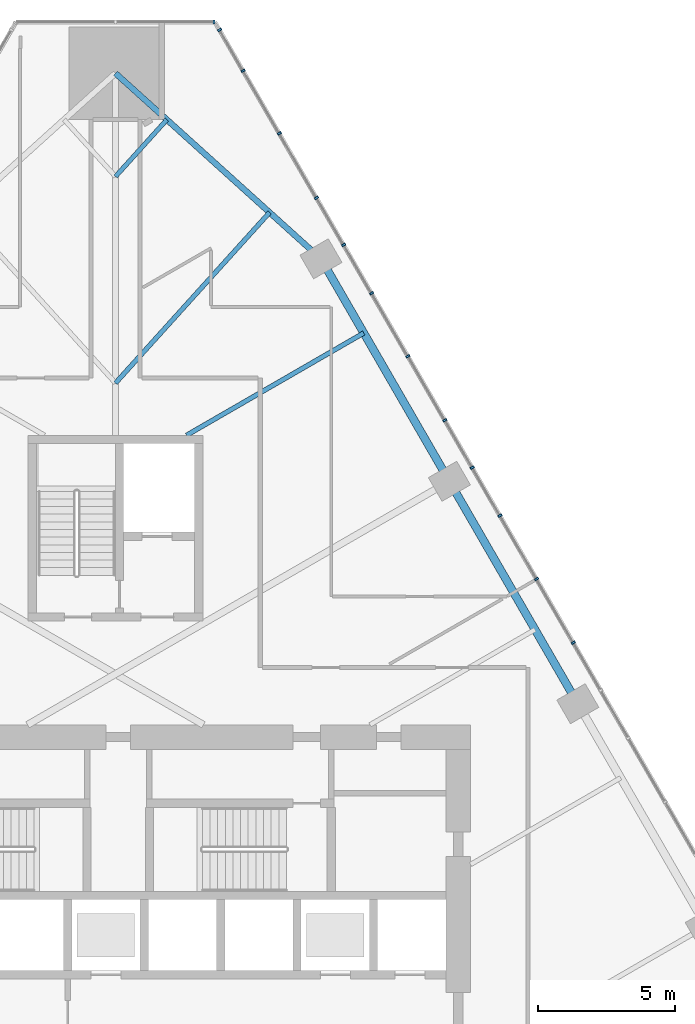
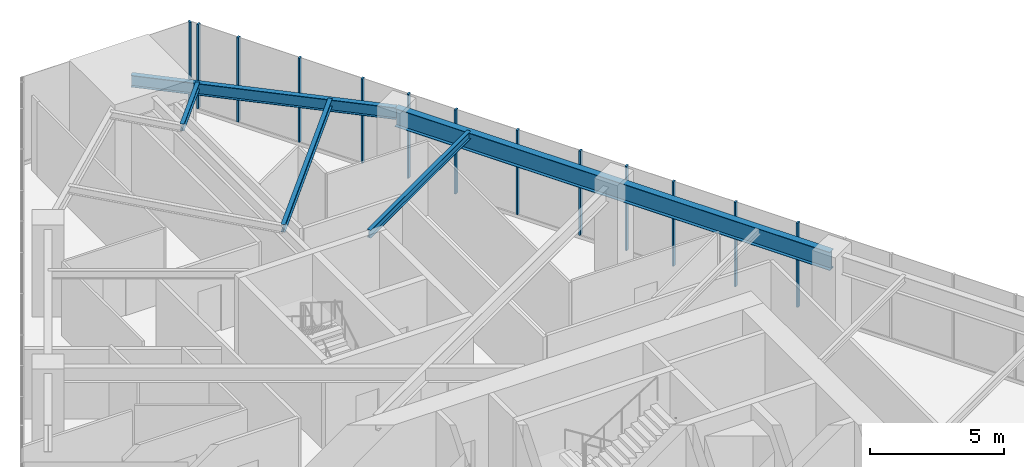
# One storey, part 10 of 21: 13 members, 5 beams, 2 elements without a shape of their own.
"""IFC4 building model written with IfcOpenShell, lengths in metres."""

import ifcopenshell
import ifcopenshell.guid

model = None  # the IFC model being written
_history = None  # IfcOwnerHistory: only IFC2X3 demands one
_inside = {}  # id of a spatial element -> (the spatial element, [elements in it])
_under = {}  # id of a project, library or spatial element -> (it, [spatial elements below it])
_declared = {}  # id of a project -> (the project, [libraries it declares])
_typed = {}  # id of a type object -> (the type object, [elements of that type])
_made_of = {}  # id of a material, layer set ... -> (it, [elements and type objects made of it])


def new_model(schema):
    """Start an empty IFC model of exactly this schema.

    Asked for "IFC4X3", IfcOpenShell would pick the latest addendum, in which some entities
    have other attributes; the version numbers below select the first issue.
    IFC2X3 requires an IfcOwnerHistory on every rooted entity: one is made here for all.
    """
    global model, _history
    if schema == "IFC4X3":
        model = ifcopenshell.file(schema_version=(4, 3, 0, 0))
    else:
        model = ifcopenshell.file(schema=schema)
    _inside.clear()
    _under.clear()
    _declared.clear()
    _typed.clear()
    _made_of.clear()
    _history = None
    if model.schema == "IFC2X3":
        org = make("IfcOrganization", Name="unknown")
        user = make(
            "IfcPersonAndOrganization",
            ThePerson=make("IfcPerson", FamilyName="unknown"),
            TheOrganization=org,
        )
        app = make(
            "IfcApplication",
            ApplicationDeveloper=org,
            Version="unknown",
            ApplicationFullName="unknown",
            ApplicationIdentifier="unknown",
        )
        _history = make(
            "IfcOwnerHistory",
            OwningUser=user,
            OwningApplication=app,
            ChangeAction="ADDED",
            CreationDate=0,
        )
    return model


def make(cls, **values):
    """One entity of the class cls with the attributes given. An attribute that is None is left unset."""
    return model.create_entity(
        cls, **{name: value for name, value in values.items() if value is not None}
    )


def rooted(cls, **values):
    """An entity with a GlobalId (a new one), such as an element, a storey or a relation."""
    return make(cls, GlobalId=ifcopenshell.guid.new(), OwnerHistory=_history, **values)


def si_unit(unit_type, name, prefix=None):
    """IfcSIUnit, for example si_unit("LENGTHUNIT", "METRE", prefix="MILLI")."""
    return make("IfcSIUnit", UnitType=unit_type, Prefix=prefix, Name=name)


def assignment(units):
    """IfcUnitAssignment: the units of a project."""
    return None if units is None else make("IfcUnitAssignment", Units=units)


def point(xyz):
    """IfcCartesianPoint."""
    return None if xyz is None else make("IfcCartesianPoint", Coordinates=xyz)


def direction(xyz):
    """IfcDirection."""
    return None if xyz is None else make("IfcDirection", DirectionRatios=xyz)


def frame(location, z_axis=None, x_axis=None):
    """IfcAxis2Placement3D, a coordinate frame: its origin and axes. An axis left out is left unset."""
    return make(
        "IfcAxis2Placement3D",
        Location=point(location),
        Axis=direction(z_axis),
        RefDirection=direction(x_axis),
    )


def frame_2d(location, x_axis=None):
    """IfcAxis2Placement2D, a coordinate frame in the plane: its origin and x axis."""
    return make(
        "IfcAxis2Placement2D", Location=point(location), RefDirection=direction(x_axis)
    )


def origin():
    """The frame at (0, 0, 0) with its axes left unset."""
    return frame((0.0, 0.0, 0.0))


def origin_2d():
    """The frame at (0, 0) in the plane with its x axis left unset."""
    return frame_2d((0.0, 0.0))


def place(relative_to, where):
    """IfcLocalPlacement: puts the frame where relative to a parent placement (None: the world)."""
    return make(
        "IfcLocalPlacement", PlacementRelTo=relative_to, RelativePlacement=where
    )


def context(
    kind, dimensions, precision=None, world=None, true_north=None, identifier=None
):
    """IfcGeometricRepresentationContext, for example the 3D "Model" context."""
    return make(
        "IfcGeometricRepresentationContext",
        ContextIdentifier=identifier,
        ContextType=kind,
        CoordinateSpaceDimension=dimensions,
        Precision=precision,
        WorldCoordinateSystem=world,
        TrueNorth=true_north,
    )


def subcontext(parent, identifier, kind, view, scale=None):
    """IfcGeometricRepresentationSubContext, for example "Body" below "Model"."""
    return make(
        "IfcGeometricRepresentationSubContext",
        ContextIdentifier=identifier,
        ContextType=kind,
        ParentContext=parent,
        TargetScale=scale,
        TargetView=view,
    )


def project(units=None, contexts=None):
    """IfcProject with its units and contexts."""
    return rooted(
        "IfcProject",
        Name="project",
        RepresentationContexts=contexts,
        UnitsInContext=assignment(units),
    )


def spatial(cls, under=None, at=None, **own):
    """A site, building, storey or space (cls), placed at a placement, below another one or the project."""
    s = rooted(cls, ObjectPlacement=at, **own)
    if under is not None:
        _under.setdefault(under.id(), (under, []))[1].append(s)
    return s


def profile(cls, at=None, kind="AREA", **sizes):
    """A parametric profile (cls). Its sizes go by their IFC names, for example OverallWidth=200.0."""
    return make(cls, ProfileType=kind, Position=at, **sizes)


def rectangle(**sizes):
    """IfcRectangleProfileDef."""
    return profile("IfcRectangleProfileDef", **sizes)


def i_section(**sizes):
    """IfcIShapeProfileDef."""
    return profile("IfcIShapeProfileDef", **sizes)


def extrude(swept, where, along, depth):
    """IfcExtrudedAreaSolid: the profile swept, set in the frame where, extruded along a direction by depth."""
    return make(
        "IfcExtrudedAreaSolid",
        SweptArea=swept,
        Position=where,
        ExtrudedDirection=direction(along),
        Depth=depth,
    )


def shape(context_of_items, identifier, shape_type, items):
    """IfcShapeRepresentation: the items that make up one representation, for example the "Body"."""
    return make(
        "IfcShapeRepresentation",
        ContextOfItems=context_of_items,
        RepresentationIdentifier=identifier,
        RepresentationType=shape_type,
        Items=items,
    )


def material(Name=None, Category=None):
    """IfcMaterial."""
    return make("IfcMaterial", Name=Name, Category=Category)


def layer(
    of_material, thickness, ventilated=None, Name=None, Category=None, Priority=None
):
    """IfcMaterialLayer: one layer of a wall or slab, of a material (None: an air gap)."""
    return make(
        "IfcMaterialLayer",
        Material=of_material,
        LayerThickness=thickness,
        IsVentilated=ventilated,
        Name=Name,
        Category=Category,
        Priority=Priority,
    )


def layer_set(layers, Name=None):
    """IfcMaterialLayerSet."""
    return make("IfcMaterialLayerSet", MaterialLayers=layers, LayerSetName=Name)


def material_profile(
    of_material, cross_section, Name=None, Category=None, Priority=None
):
    """IfcMaterialProfile: a cross section and its material."""
    return make(
        "IfcMaterialProfile",
        Name=Name,
        Material=of_material,
        Profile=cross_section,
        Priority=Priority,
        Category=Category,
    )


def profile_set(profiles, Name=None, composite=None):
    """IfcMaterialProfileSet."""
    return make(
        "IfcMaterialProfileSet",
        Name=Name,
        MaterialProfiles=profiles,
        CompositeProfile=composite,
    )


def made_of(thing, what):
    """Note that an element or type object is made of a material, layer set ...; save() writes the relation."""
    if what is not None:
        _made_of.setdefault(what.id(), (what, []))[1].append(thing)
    return thing


def type_object(cls, material=None, **own):
    """A type object (cls), such as IfcWallType, which elements share."""
    return made_of(rooted(cls, **own), material)


def element(
    cls,
    number,
    at=None,
    inside=None,
    cuts=None,
    type_object=None,
    material=None,
    context=None,
    identifier="Body",
    shape_type=None,
    held_by="IfcProductDefinitionShape",
    body=None,
    shapes=None,
    **own,
):
    """One element of the class cls, such as IfcWall. Its Tag is "e" and its number.

    at: its placement. inside: the storey or other place that contains it. cuts: it is an
    opening in that element (IfcRelVoidsElement). A single representation is given by context,
    identifier, shape_type and body (its items); several are given by shapes. held_by: the class
    of the entity that holds the representations. save() writes the other relations.
    """
    e = rooted(cls, Tag="e%d" % number, ObjectPlacement=at, **own)
    if body is not None:
        shapes = [shape(context, identifier, shape_type, body)]
    if shapes is not None:
        e.Representation = make(held_by, Representations=shapes)
    if inside is not None:
        _inside.setdefault(inside.id(), (inside, []))[1].append(e)
    if cuts is not None:
        rooted(
            "IfcRelVoidsElement", RelatingBuildingElement=cuts, RelatedOpeningElement=e
        )
    if type_object is not None:
        _typed.setdefault(type_object.id(), (type_object, []))[1].append(e)
    return made_of(e, material)


def aggregate(whole, parts):
    """IfcRelAggregates: a whole, such as a stair, and the parts it consists of."""
    return rooted("IfcRelAggregates", RelatingObject=whole, RelatedObjects=parts)


def save(model, path):
    """Write the relations noted so far, then the file.

    IfcRelAggregates (storeys below a building ...), IfcRelContainedInSpatialStructure (elements
    in a storey), IfcRelDefinesByType, IfcRelAssociatesMaterial and IfcRelDeclares: one each for
    every whole, place, type object, material and project.
    """
    for whole, parts in _under.values():
        aggregate(whole, parts)
    for where, things in _inside.values():
        rooted(
            "IfcRelContainedInSpatialStructure",
            RelatedElements=things,
            RelatingStructure=where,
        )
    for kind, things in _typed.values():
        rooted("IfcRelDefinesByType", RelatedObjects=things, RelatingType=kind)
    for what, things in _made_of.values():
        rooted("IfcRelAssociatesMaterial", RelatedObjects=things, RelatingMaterial=what)
    for by, libraries in _declared.values():
        rooted("IfcRelDeclares", RelatingContext=by, RelatedDefinitions=libraries)
    model.write(path)


model = new_model("IFC4")

# Units and contexts
model_context = context("Model", 3, precision=1e-05, world=origin(), true_north=direction((0.0, 1.0)))
body_context = subcontext(model_context, "Body", "Model", "MODEL_VIEW")
ifc_project = project(units=[si_unit("LENGTHUNIT", "METRE"), si_unit("AREAUNIT", "SQUARE_METRE"), si_unit("VOLUMEUNIT", "CUBIC_METRE"), si_unit("PLANEANGLEUNIT", "RADIAN"), si_unit("MASSUNIT", "GRAM", prefix="KILO")], contexts=[model_context])

# Site, building, storey
site_placement = place(None, origin())
site = spatial("IfcSite", under=ifc_project, at=site_placement, CompositionType="ELEMENT")
building_placement = place(site_placement, origin())
building = spatial("IfcBuilding", under=site, at=building_placement, Name="Firuza Gate Tower and Library", CompositionType="ELEMENT")
storey_placement = place(building_placement, frame((0.0, 0.0, 98.800048828125)))
storey = spatial("IfcBuildingStorey", under=building, at=storey_placement, Name="L22", CompositionType="ELEMENT", Elevation=98.800048828125)

# Curtain wall, members
ifc_material_1 = material(Name="Aluminium 6063-T6", Category="aluminium")
ifc_layer_1 = layer(ifc_material_1, 0.14990234375)
ifc_layer_set_1 = layer_set([ifc_layer_1], Name="Unitised curtain wall, offices")
curtain_wall_type_1 = type_object("IfcCurtainWallType", Name="Unitised curtain wall, offices", PredefinedType="NOTDEFINED", material=ifc_layer_set_1)
placement = place(storey_placement, origin())
curtain_wall_1 = element("IfcCurtainWall", 1, at=placement, inside=storey, type_object=curtain_wall_type_1, Name="CW1 L22 E face", PredefinedType="NOTDEFINED")
ifc_material_2 = material(Name="Aluminium 6063-T6", Category="aluminium")
ifc_material_profile_1 = material_profile(ifc_material_2, rectangle(XDim=0.14990234375, YDim=0.080078125, at=origin_2d()))
ifc_profile_set_1 = profile_set([ifc_material_profile_1], Name="Aluminium 6063-T6")
member_type = type_object("IfcMemberType", Name="Curtain wall mullion 80x150", PredefinedType="MULLION", material=ifc_profile_set_1)
member_1_placement = place(storey_placement, frame((90.41552734375, 89.337646484375, 0.14990234375), z_axis=(0.0, 0.0, 1.0), x_axis=(-0.866025403784, -0.5, 0.0)))
member_1 = element("IfcMember", 2, at=member_1_placement, type_object=member_type, Name="Mullion", PredefinedType="MULLION", context=body_context, shape_type="SweptSolid", body=[
    extrude(rectangle(XDim=0.14990234375, YDim=0.080078125, at=origin_2d()), origin(), (0.0, 0.0, 1.0), 3.85009765625),
])
member_2_placement = place(storey_placement, frame((88.06103515625, 93.41552734375, 0.14990234375), z_axis=(0.0, 0.0, 1.0), x_axis=(-0.866025403784, -0.5, 0.0)))
member_2 = element("IfcMember", 3, at=member_2_placement, type_object=member_type, Name="Mullion", PredefinedType="MULLION", context=body_context, shape_type="SweptSolid", body=[
    extrude(rectangle(XDim=0.14990234375, YDim=0.080078125, at=origin_2d()), origin(), (0.0, 0.0, 1.0), 3.85009765625),
])
member_3_placement = place(storey_placement, frame((85.70654296875, 97.49365234375, 0.14990234375), z_axis=(0.0, 0.0, 1.0), x_axis=(-0.866025403784, -0.5, 0.0)))
member_3 = element("IfcMember", 4, at=member_3_placement, type_object=member_type, Name="Mullion", PredefinedType="MULLION", context=body_context, shape_type="SweptSolid", body=[
    extrude(rectangle(XDim=0.14990234375, YDim=0.080078125, at=origin_2d()), origin(), (0.0, 0.0, 1.0), 3.85009765625),
])
member_4_placement = place(storey_placement, frame((83.352294921875, 101.571533203125, 0.14990234375), z_axis=(0.0, 0.0, 1.0), x_axis=(-0.866025403784, -0.5, 0.0)))
member_4 = element("IfcMember", 5, at=member_4_placement, type_object=member_type, Name="Mullion", PredefinedType="MULLION", context=body_context, shape_type="SweptSolid", body=[
    extrude(rectangle(XDim=0.14990234375, YDim=0.080078125, at=origin_2d()), origin(), (0.0, 0.0, 1.0), 3.85009765625),
])
member_5_placement = place(storey_placement, frame((80.997802734375, 105.649658203125, 0.14990234375), z_axis=(0.0, 0.0, 1.0), x_axis=(-0.866025403784, -0.5, 0.0)))
member_5 = element("IfcMember", 6, at=member_5_placement, type_object=member_type, Name="Mullion", PredefinedType="MULLION", context=body_context, shape_type="SweptSolid", body=[
    extrude(rectangle(XDim=0.14990234375, YDim=0.080078125, at=origin_2d()), origin(), (0.0, 0.0, 1.0), 3.85009765625),
])
member_6_placement = place(storey_placement, frame((91.76171875, 87.006103515625, 0.14990234375), z_axis=(0.0, 0.0, 1.0), x_axis=(-0.866025403784, -0.5, 0.0)))
member_6 = element("IfcMember", 7, at=member_6_placement, type_object=member_type, Name="Mullion", PredefinedType="MULLION", context=body_context, shape_type="SweptSolid", body=[
    extrude(rectangle(XDim=0.14990234375, YDim=0.080078125, at=origin_2d()), origin(), (0.0, 0.0, 1.0), 3.85009765625),
])
member_7_placement = place(storey_placement, frame((89.07666015625, 91.656494140625, 0.14990234375), z_axis=(0.0, 0.0, 1.0), x_axis=(-0.866025403784, -0.5, 0.0)))
member_7 = element("IfcMember", 8, at=member_7_placement, type_object=member_type, Name="Mullion", PredefinedType="MULLION", context=body_context, shape_type="SweptSolid", body=[
    extrude(rectangle(XDim=0.14990234375, YDim=0.080078125, at=origin_2d()), origin(), (0.0, 0.0, 1.0), 3.85009765625),
])
member_8_placement = place(storey_placement, frame((87.06005859375, 95.149658203125, 0.14990234375), z_axis=(0.0, 0.0, 1.0), x_axis=(-0.866025403784, -0.5, 0.0)))
member_8 = element("IfcMember", 9, at=member_8_placement, type_object=member_type, Name="Mullion", PredefinedType="MULLION", context=body_context, shape_type="SweptSolid", body=[
    extrude(rectangle(XDim=0.14990234375, YDim=0.080078125, at=origin_2d()), origin(), (0.0, 0.0, 1.0), 3.85009765625),
])
member_9_placement = place(storey_placement, frame((84.375, 99.800048828125, 0.14990234375), z_axis=(0.0, 0.0, 1.0), x_axis=(-0.866025403784, -0.5, 0.0)))
member_9 = element("IfcMember", 10, at=member_9_placement, type_object=member_type, Name="Mullion", PredefinedType="MULLION", context=body_context, shape_type="SweptSolid", body=[
    extrude(rectangle(XDim=0.14990234375, YDim=0.080078125, at=origin_2d()), origin(), (0.0, 0.0, 1.0), 3.85009765625),
])
member_10_placement = place(storey_placement, frame((82.3583984375, 103.293212890625, 0.14990234375), z_axis=(0.0, 0.0, 1.0), x_axis=(-0.866025403784, -0.5, 0.0)))
member_10 = element("IfcMember", 11, at=member_10_placement, type_object=member_type, Name="Mullion", PredefinedType="MULLION", context=body_context, shape_type="SweptSolid", body=[
    extrude(rectangle(XDim=0.14990234375, YDim=0.080078125, at=origin_2d()), origin(), (0.0, 0.0, 1.0), 3.85009765625),
])
member_11_placement = place(storey_placement, frame((79.67333984375, 107.943603515625, 0.14990234375), z_axis=(0.0, 0.0, 1.0), x_axis=(-0.866025403784, -0.5, 0.0)))
member_11 = element("IfcMember", 12, at=member_11_placement, type_object=member_type, Name="Mullion", PredefinedType="MULLION", context=body_context, shape_type="SweptSolid", body=[
    extrude(rectangle(XDim=0.14990234375, YDim=0.080078125, at=origin_2d()), origin(), (0.0, 0.0, 1.0), 3.85009765625),
])
member_12_placement = place(storey_placement, frame((78.808837890625, 109.44091796875, 0.14990234375), z_axis=(0.0, 0.0, 1.0), x_axis=(-0.866025403784, -0.5, 0.0)))
member_12 = element("IfcMember", 13, at=member_12_placement, type_object=member_type, Name="Mullion", PredefinedType="MULLION", context=body_context, shape_type="SweptSolid", body=[
    extrude(rectangle(XDim=0.14990234375, YDim=0.080078125, at=origin_2d()), origin(), (0.0, 0.0, 1.0), 3.85009765625),
])
aggregate(curtain_wall_1, [member_1, member_2, member_3, member_4, member_5, member_6, member_7, member_8, member_9, member_10, member_11, member_12])

# Curtain wall, member
ifc_material_3 = material(Name="Aluminium 6063-T6", Category="aluminium")
ifc_layer_2 = layer(ifc_material_3, 0.14990234375)
ifc_layer_set_2 = layer_set([ifc_layer_2], Name="Corner curtain wall, chamfers")
curtain_wall_type_2 = type_object("IfcCurtainWallType", Name="Corner curtain wall, chamfers", PredefinedType="NOTDEFINED", material=ifc_layer_set_2)
curtain_wall_2 = element("IfcCurtainWall", 14, at=placement, inside=storey, type_object=curtain_wall_type_2, Name="CW4 L22 N corner", PredefinedType="NOTDEFINED")
member_13_placement = place(storey_placement, frame((78.603271484375, 109.727783203125, 0.14990234375), z_axis=(0.0, 0.0, 1.0), x_axis=(0.0, -1.0, 0.0)))
member_13 = element("IfcMember", 15, at=member_13_placement, type_object=member_type, Name="Mullion", PredefinedType="MULLION", context=body_context, shape_type="SweptSolid", body=[
    extrude(rectangle(XDim=0.14990234375, YDim=0.080078125, at=origin_2d()), origin(), (0.0, 0.0, 1.0), 3.85009765625),
])
aggregate(curtain_wall_2, [member_13])

# Beams
ifc_material_4 = material(Name="Steel S355", Category="steel")
ifc_material_profile_2 = material_profile(ifc_material_4, i_section(OverallWidth=0.1650390625, OverallDepth=0.31005859375, WebThickness=0.005859375, FlangeThickness=0.009765625, at=origin_2d()))
ifc_profile_set_2 = profile_set([ifc_material_profile_2], Name="Steel S355")
beam_type_1 = type_object("IfcBeamType", Name="W310x39 Floor beam", PredefinedType="JOIST", material=ifc_profile_set_2)
beam_1_placement = place(storey_placement, frame((76.880615234375, 106.154296875, 3.844970703125), z_axis=(-0.670256887626, -0.742129169747, 0.0), x_axis=(0.742129169747, -0.670256887626, 0.0)))
element("IfcBeam", 16, at=beam_1_placement, inside=storey, type_object=beam_type_1, Name="Floor beam L22 s61", PredefinedType="JOIST", context=body_context, shape_type="SweptSolid", body=[
    extrude(i_section(OverallWidth=0.1650390625, OverallDepth=0.31005859375, WebThickness=0.005859375, FlangeThickness=0.009765625, at=origin_2d()), origin(), (0.0, 0.0, 1.0), 2.805908203125),
])
ifc_material_5 = material(Name="Steel S355", Category="steel")
ifc_material_profile_3 = material_profile(ifc_material_5, i_section(OverallWidth=0.1708984375, OverallDepth=0.35498046875, WebThickness=0.007080078125, FlangeThickness=0.01171875, at=origin_2d()))
ifc_profile_set_3 = profile_set([ifc_material_profile_3], Name="Steel S355")
beam_type_2 = type_object("IfcBeamType", Name="W360x51 Floor beam", PredefinedType="JOIST", material=ifc_profile_set_3)
beam_2_placement = place(storey_placement, frame((84.089599609375, 98.3447265625, 3.822509765625), z_axis=(-0.866031961729, -0.499988641134, 0.0), x_axis=(0.499988641134, -0.866031961729, 0.0)))
element("IfcBeam", 17, at=beam_2_placement, inside=storey, type_object=beam_type_2, Name="Floor beam L22 s55", PredefinedType="JOIST", context=body_context, shape_type="SweptSolid", body=[
    extrude(i_section(OverallWidth=0.1708984375, OverallDepth=0.35498046875, WebThickness=0.007080078125, FlangeThickness=0.01171875, at=origin_2d()), origin(), (0.0, 0.0, 1.0), 7.489501953125),
])
beam_3_placement = place(storey_placement, frame((80.6416015625, 102.757568359375, 3.822509765625), z_axis=(-0.67024091296, -0.742143597018, 0.0), x_axis=(0.742143597018, -0.67024091296, 0.0)))
element("IfcBeam", 18, at=beam_3_placement, inside=storey, type_object=beam_type_2, Name="Floor beam L22 s60", PredefinedType="JOIST", context=body_context, shape_type="SweptSolid", body=[
    extrude(i_section(OverallWidth=0.1708984375, OverallDepth=0.35498046875, WebThickness=0.007080078125, FlangeThickness=0.01171875, at=origin_2d()), origin(), (0.0, 0.0, 1.0), 8.417236328125),
])
ifc_material_6 = material(Name="Steel S355", Category="steel")
ifc_material_profile_4 = material_profile(ifc_material_6, i_section(OverallWidth=0.212890625, OverallDepth=0.5390625, WebThickness=0.01171875, FlangeThickness=0.018798828125, at=origin_2d()))
ifc_profile_set_4 = profile_set([ifc_material_profile_4], Name="Steel S355")
beam_type_3 = type_object("IfcBeamType", Name="W530x109 Edge beam", PredefinedType="SPANDREL", material=ifc_profile_set_4)
beam_4_placement = place(storey_placement, frame((82.522216796875, 101.05908203125, 3.73046875), z_axis=(-0.74213008283, 0.670255876632, 0.0), x_axis=(-0.670255876632, -0.74213008283, 0.0)))
element("IfcBeam", 19, at=beam_4_placement, inside=storey, type_object=beam_type_3, Name="Edge beam L22 e60", PredefinedType="SPANDREL", context=body_context, shape_type="SweptSolid", body=[
    extrude(i_section(OverallWidth=0.212890625, OverallDepth=0.5390625, WebThickness=0.01171875, FlangeThickness=0.018798828125, at=origin_2d()), origin(), (0.0, 0.0, 1.0), 10.135986328125),
])
ifc_material_7 = material(Name="Steel S355", Category="steel")
ifc_material_profile_5 = material_profile(ifc_material_7, i_section(OverallWidth=0.2919921875, OverallDepth=0.8349609375, WebThickness=0.013916015625, FlangeThickness=0.018798828125, at=origin_2d()))
ifc_profile_set_5 = profile_set([ifc_material_profile_5], Name="Steel S355")
beam_type_4 = type_object("IfcBeamType", Name="W840x176 Edge beam", PredefinedType="SPANDREL", material=ifc_profile_set_5)
beam_5_placement = place(storey_placement, frame((91.925537109375, 84.77197265625, 3.58251953125), z_axis=(-0.499998138849, 0.866026478318, 0.0), x_axis=(-0.866026478318, -0.499998138849, 0.0)))
element("IfcBeam", 20, at=beam_5_placement, inside=storey, type_object=beam_type_4, Name="Edge beam L22 e52", PredefinedType="SPANDREL", context=body_context, shape_type="SweptSolid", body=[
    extrude(i_section(OverallWidth=0.2919921875, OverallDepth=0.8349609375, WebThickness=0.013916015625, FlangeThickness=0.018798828125, at=origin_2d()), origin(), (0.0, 0.0, 1.0), 18.806640625),
])

save(model, "model.ifc")
